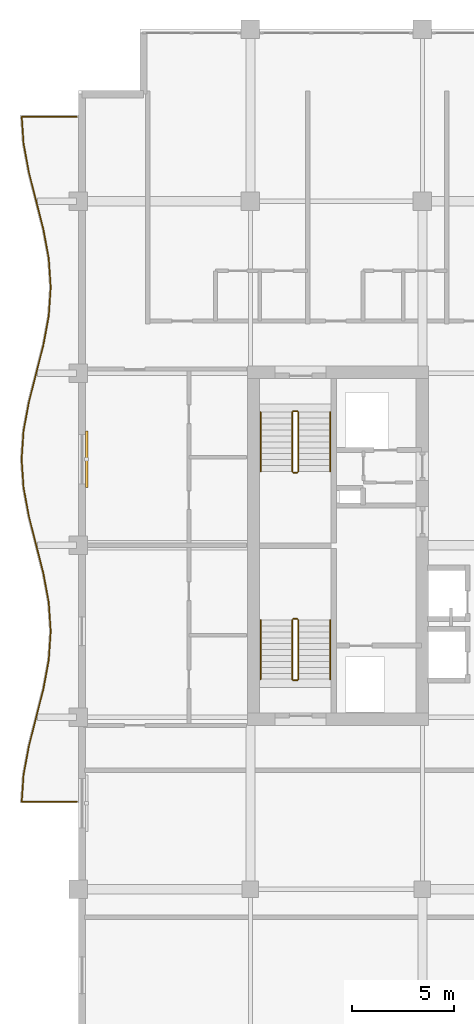
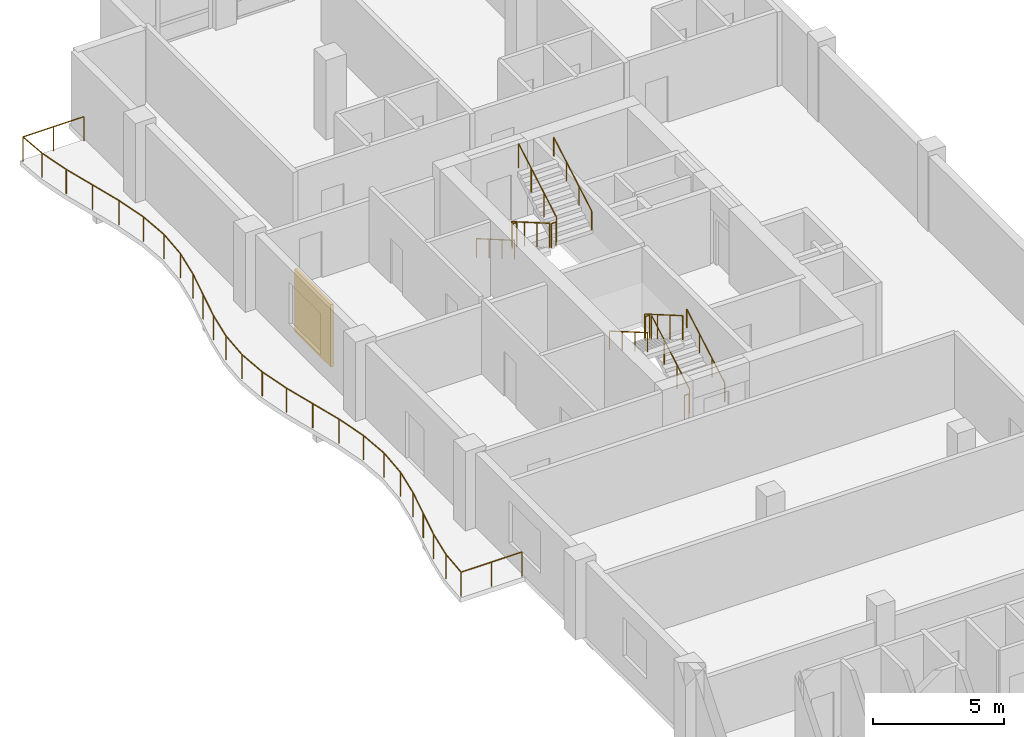
# One storey, part 15 of 15: 13 railings, 1 shading device.
"""IFC4 building model written with IfcOpenShell, lengths in metres."""

from ifc_helpers import new_model, si_unit, direction, frame, origin, origin_2d, place, context, subcontext, project, spatial, rectangle, circle, extrude, material, layer, layer_set, type_object, element, save


model = new_model("IFC4")

# Units and contexts
model_context = context("Model", 3, precision=1e-05, world=origin(), true_north=direction((0.0, 1.0)))
body_context = subcontext(model_context, "Body", "Model", "MODEL_VIEW")
ifc_project = project(units=[si_unit("LENGTHUNIT", "METRE"), si_unit("AREAUNIT", "SQUARE_METRE"), si_unit("VOLUMEUNIT", "CUBIC_METRE"), si_unit("PLANEANGLEUNIT", "RADIAN"), si_unit("MASSUNIT", "GRAM", prefix="KILO")], contexts=[model_context])

# Site, building, storey
site_placement = place(None, origin())
site = spatial("IfcSite", under=ifc_project, at=site_placement, CompositionType="ELEMENT")
building_placement = place(site_placement, origin())
building = spatial("IfcBuilding", under=site, at=building_placement, Name="Koriwani Terraces Tower", CompositionType="ELEMENT")
storey_placement = place(building_placement, frame((0.0, 0.0, 282.300048828125)))
storey = spatial("IfcBuildingStorey", under=building, at=storey_placement, Name="L70", CompositionType="ELEMENT", Elevation=282.300048828125)

# Railings
ifc_material_1 = material(Name="Steel ASTM A572 Grade 50", Category="steel")
railing_type_1 = type_object("IfcRailingType", Name="GUARD_BALUSTRADE_1150", PredefinedType="BALUSTRADE", material=ifc_material_1)
railing_1_placement = place(storey_placement, frame((8.320068359375, 37.8798828125, 0.0)))
element("IfcRailing", 1, at=railing_1_placement, inside=storey, type_object=railing_type_1, Name="L70 Balcony Perimeter Safety Balustrade (W)", PredefinedType="BALUSTRADE", context=body_context, shape_type="SweptSolid", body=[
    extrude(circle(Radius=0.02392578125, at=origin_2d()), frame((0.0, 0.0, 1.1259765625), z_axis=(-1.0, 0.0, 0.0), x_axis=(0.0, -1.0, 0.0)), (0.0, 0.0, 1.0), 2.6845703125),
    extrude(circle(Radius=0.02392578125, at=origin_2d()), frame((-2.6845703125, 0.0, 1.1259765625), z_axis=(0.06786405531, 0.997694577512, 0.0), x_axis=(-0.997694577512, 0.06786405531, 0.0)), (0.0, 0.0, 1.0), 1.31298828125),
    extrude(circle(Radius=0.02392578125, at=origin_2d()), frame((-2.595458984375, 1.31005859375, 1.1259765625), z_axis=(0.182508895706, 0.98320420208, 0.0), x_axis=(-0.98320420208, 0.182508895706, 0.0)), (0.0, 0.0, 1.0), 1.41650390625),
    extrude(circle(Radius=0.02392578125, at=origin_2d()), frame((-2.3369140625, 2.702880859375, 1.1259765625), z_axis=(0.245775750895, 0.969326714928, 0.0), x_axis=(-0.969326714928, 0.245775750895, 0.0)), (0.0, 0.0, 1.0), 2.888671875),
    extrude(circle(Radius=0.02392578125, at=origin_2d()), frame((-1.626953125, 5.5029296875, 1.1259765625), z_axis=(0.182351913416, 0.983233329212, 0.0), x_axis=(-0.983233329212, 0.182351913416, 0.0)), (0.0, 0.0, 1.0), 1.43115234375),
    extrude(circle(Radius=0.02392578125, at=origin_2d()), frame((-1.365966796875, 6.91015625, 1.1259765625), z_axis=(0.067722949425, 0.997704165633, 0.0), x_axis=(-0.997704165633, 0.067722949425, 0.0)), (0.0, 0.0, 1.0), 1.4130859375),
    extrude(circle(Radius=0.02392578125, at=origin_2d()), frame((-1.270263671875, 8.320068359375, 1.1259765625), z_axis=(-0.067711278299, 0.997704957786, 0.0), x_axis=(-0.997704957786, -0.067711278299, 0.0)), (0.0, 0.0, 1.0), 1.413330078125),
    extrude(circle(Radius=0.02392578125, at=origin_2d()), frame((-1.365966796875, 9.730224609375, 1.1259765625), z_axis=(-0.182382502828, 0.983227655562, 0.0), x_axis=(-0.983227655562, -0.182382502828, 0.0)), (0.0, 0.0, 1.0), 1.430908203125),
    extrude(circle(Radius=0.02392578125, at=origin_2d()), frame((-1.626953125, 11.13720703125, 1.1259765625), z_axis=(-0.245775750895, 0.969326714928, 0.0), x_axis=(-0.969326714928, -0.245775750895, 0.0)), (0.0, 0.0, 1.0), 2.888671875),
    extrude(circle(Radius=0.02392578125, at=origin_2d()), frame((-2.3369140625, 13.937255859375, 1.1259765625), z_axis=(-0.182508895706, 0.98320420208, 0.0), x_axis=(-0.98320420208, -0.182508895706, 0.0)), (0.0, 0.0, 1.0), 1.41650390625),
    extrude(circle(Radius=0.02392578125, at=origin_2d()), frame((-2.595458984375, 15.330078125, 1.1259765625), z_axis=(-0.067809839848, 0.997698263815, 0.0), x_axis=(-0.997698263815, -0.067809839848, 0.0)), (0.0, 0.0, 1.0), 1.393310546875),
    extrude(circle(Radius=0.02392578125, at=origin_2d()), frame((-2.68994140625, 16.72021484375, 1.1259765625), z_axis=(0.067821696155, 0.997697457915, 0.0), x_axis=(-0.997697457915, 0.067821696155, 0.0)), (0.0, 0.0, 1.0), 1.39306640625),
    extrude(circle(Radius=0.02392578125, at=origin_2d()), frame((-2.595458984375, 18.110107421875, 1.1259765625), z_axis=(0.182508895706, 0.98320420208, 0.0), x_axis=(-0.98320420208, 0.182508895706, 0.0)), (0.0, 0.0, 1.0), 1.41650390625),
    extrude(circle(Radius=0.02392578125, at=origin_2d()), frame((-2.3369140625, 19.5029296875, 1.1259765625), z_axis=(0.245775750895, 0.969326714928, 0.0), x_axis=(-0.969326714928, 0.245775750895, 0.0)), (0.0, 0.0, 1.0), 2.888671875),
    extrude(circle(Radius=0.02392578125, at=origin_2d()), frame((-1.626953125, 22.302978515625, 1.1259765625), z_axis=(0.182351913416, 0.983233329212, 0.0), x_axis=(-0.983233329212, 0.182351913416, 0.0)), (0.0, 0.0, 1.0), 1.43115234375),
    extrude(circle(Radius=0.02392578125, at=origin_2d()), frame((-1.365966796875, 23.710205078125, 1.1259765625), z_axis=(0.067722949425, 0.997704165633, 0.0), x_axis=(-0.997704165633, 0.067722949425, 0.0)), (0.0, 0.0, 1.0), 1.4130859375),
    extrude(circle(Radius=0.02392578125, at=origin_2d()), frame((-1.270263671875, 25.1201171875, 1.1259765625), z_axis=(-0.067722949425, 0.997704165633, 0.0), x_axis=(-0.997704165633, -0.067722949425, 0.0)), (0.0, 0.0, 1.0), 1.4130859375),
    extrude(circle(Radius=0.02392578125, at=origin_2d()), frame((-1.365966796875, 26.530029296875, 1.1259765625), z_axis=(-0.182351913416, 0.983233329212, 0.0), x_axis=(-0.983233329212, -0.182351913416, 0.0)), (0.0, 0.0, 1.0), 1.43115234375),
    extrude(circle(Radius=0.02392578125, at=origin_2d()), frame((-1.626953125, 27.937255859375, 1.1259765625), z_axis=(-0.245775750895, 0.969326714928, 0.0), x_axis=(-0.969326714928, -0.245775750895, 0.0)), (0.0, 0.0, 1.0), 2.888671875),
    extrude(circle(Radius=0.02392578125, at=origin_2d()), frame((-2.3369140625, 30.7373046875, 1.1259765625), z_axis=(-0.182508895706, 0.98320420208, 0.0), x_axis=(-0.98320420208, -0.182508895706, 0.0)), (0.0, 0.0, 1.0), 1.41650390625),
    extrude(circle(Radius=0.02392578125, at=origin_2d()), frame((-2.595458984375, 32.130126953125, 1.1259765625), z_axis=(-0.06786405531, 0.997694577512, 0.0), x_axis=(-0.997694577512, -0.06786405531, 0.0)), (0.0, 0.0, 1.0), 1.31298828125),
    extrude(circle(Radius=0.02392578125, at=origin_2d()), frame((-2.6845703125, 33.440185546875, 1.1259765625), z_axis=(1.0, 0.0, 0.0), x_axis=(0.0, 1.0, 0.0)), (0.0, 0.0, 1.0), 2.6845703125),
    extrude(circle(Radius=0.02099609375, at=origin_2d()), origin(), (0.0, 0.0, 1.0), 1.101806640625),
    extrude(circle(Radius=0.02099609375, at=origin_2d()), frame((-1.34228515625, 0.0, 0.0)), (0.0, 0.0, 1.0), 1.101806640625),
    extrude(circle(Radius=0.02099609375, at=origin_2d()), frame((-2.6845703125, 0.0, 0.0)), (0.0, 0.0, 1.0), 1.101806640625),
    extrude(circle(Radius=0.02099609375, at=origin_2d()), frame((-2.595458984375, 1.31005859375, 0.0)), (0.0, 0.0, 1.0), 1.101806640625),
    extrude(circle(Radius=0.02099609375, at=origin_2d()), frame((-2.3369140625, 2.702880859375, 0.0)), (0.0, 0.0, 1.0), 1.101806640625),
    extrude(circle(Radius=0.02099609375, at=origin_2d()), frame((-1.98193359375, 4.10302734375, 0.0)), (0.0, 0.0, 1.0), 1.101806640625),
    extrude(circle(Radius=0.02099609375, at=origin_2d()), frame((-1.626953125, 5.5029296875, 0.0)), (0.0, 0.0, 1.0), 1.101806640625),
    extrude(circle(Radius=0.02099609375, at=origin_2d()), frame((-1.365966796875, 6.91015625, 0.0)), (0.0, 0.0, 1.0), 1.101806640625),
    extrude(circle(Radius=0.02099609375, at=origin_2d()), frame((-1.270263671875, 8.320068359375, 0.0)), (0.0, 0.0, 1.0), 1.101806640625),
    extrude(circle(Radius=0.02099609375, at=origin_2d()), frame((-1.365966796875, 9.730224609375, 0.0)), (0.0, 0.0, 1.0), 1.101806640625),
    extrude(circle(Radius=0.02099609375, at=origin_2d()), frame((-1.626953125, 11.13720703125, 0.0)), (0.0, 0.0, 1.0), 1.101806640625),
    extrude(circle(Radius=0.02099609375, at=origin_2d()), frame((-1.98193359375, 12.537109375, 0.0)), (0.0, 0.0, 1.0), 1.101806640625),
    extrude(circle(Radius=0.02099609375, at=origin_2d()), frame((-2.3369140625, 13.937255859375, 0.0)), (0.0, 0.0, 1.0), 1.101806640625),
    extrude(circle(Radius=0.02099609375, at=origin_2d()), frame((-2.595458984375, 15.330078125, 0.0)), (0.0, 0.0, 1.0), 1.101806640625),
    extrude(circle(Radius=0.02099609375, at=origin_2d()), frame((-2.68994140625, 16.72021484375, 0.0)), (0.0, 0.0, 1.0), 1.101806640625),
    extrude(circle(Radius=0.02099609375, at=origin_2d()), frame((-2.595458984375, 18.110107421875, 0.0)), (0.0, 0.0, 1.0), 1.101806640625),
    extrude(circle(Radius=0.02099609375, at=origin_2d()), frame((-2.3369140625, 19.5029296875, 0.0)), (0.0, 0.0, 1.0), 1.101806640625),
    extrude(circle(Radius=0.02099609375, at=origin_2d()), frame((-1.98193359375, 20.90283203125, 0.0)), (0.0, 0.0, 1.0), 1.101806640625),
    extrude(circle(Radius=0.02099609375, at=origin_2d()), frame((-1.626953125, 22.302978515625, 0.0)), (0.0, 0.0, 1.0), 1.101806640625),
    extrude(circle(Radius=0.02099609375, at=origin_2d()), frame((-1.365966796875, 23.710205078125, 0.0)), (0.0, 0.0, 1.0), 1.101806640625),
    extrude(circle(Radius=0.02099609375, at=origin_2d()), frame((-1.270263671875, 25.1201171875, 0.0)), (0.0, 0.0, 1.0), 1.101806640625),
    extrude(circle(Radius=0.02099609375, at=origin_2d()), frame((-1.365966796875, 26.530029296875, 0.0)), (0.0, 0.0, 1.0), 1.101806640625),
    extrude(circle(Radius=0.02099609375, at=origin_2d()), frame((-1.626953125, 27.937255859375, 0.0)), (0.0, 0.0, 1.0), 1.101806640625),
    extrude(circle(Radius=0.02099609375, at=origin_2d()), frame((-1.98193359375, 29.33740234375, 0.0)), (0.0, 0.0, 1.0), 1.101806640625),
    extrude(circle(Radius=0.02099609375, at=origin_2d()), frame((-2.3369140625, 30.7373046875, 0.0)), (0.0, 0.0, 1.0), 1.101806640625),
    extrude(circle(Radius=0.02099609375, at=origin_2d()), frame((-2.595458984375, 32.130126953125, 0.0)), (0.0, 0.0, 1.0), 1.101806640625),
    extrude(circle(Radius=0.02099609375, at=origin_2d()), frame((-2.6845703125, 33.440185546875, 0.0)), (0.0, 0.0, 1.0), 1.101806640625),
    extrude(circle(Radius=0.02099609375, at=origin_2d()), frame((-1.34228515625, 33.440185546875, 0.0)), (0.0, 0.0, 1.0), 1.101806640625),
    extrude(circle(Radius=0.02099609375, at=origin_2d()), frame((0.0, 33.440185546875, 0.0)), (0.0, 0.0, 1.0), 1.101806640625),
])
railing_type_2 = type_object("IfcRailingType", Name="GUARD_STAIR_WELL_1120", PredefinedType="GUARDRAIL", material=ifc_material_1)
railing_2_placement = place(storey_placement, frame((19.14990234375, 43.85009765625, 0.168212890625)))
element("IfcRailing", 2, at=railing_2_placement, inside=storey, type_object=railing_type_2, Name="L70 ST-W1 stair guard 1", PredefinedType="GUARDRAIL", context=body_context, shape_type="SweptSolid", body=[
    extrude(circle(Radius=0.02392578125, at=origin_2d()), frame((0.0, 0.0, 1.1259765625), z_axis=(0.0, 0.86507038078, 0.501650512107), x_axis=(-1.0, 0.0, 0.0)), (0.0, 0.0, 1.0), 3.352294921875),
    extrude(circle(Radius=0.02099609375, at=origin_2d()), origin(), (0.0, 0.0, 1.0), 1.101806640625),
    extrude(circle(Radius=0.02099609375, at=origin_2d()), frame((0.0, 0.966552734375, 0.560546875)), (0.0, 0.0, 1.0), 1.101806640625),
    extrude(circle(Radius=0.02099609375, at=origin_2d()), frame((0.0, 1.933349609375, 1.12109375)), (0.0, 0.0, 1.0), 1.101806640625),
    extrude(circle(Radius=0.02099609375, at=origin_2d()), frame((0.0, 2.89990234375, 1.681640625)), (0.0, 0.0, 1.0), 1.101806640625),
])
railing_3_placement = place(storey_placement, frame((19.10009765625, 46.800048828125, 1.849853515625)))
element("IfcRailing", 3, at=railing_3_placement, inside=storey, type_object=railing_type_2, Name="L70 ST-W1 stair guard 2", PredefinedType="GUARDRAIL", context=body_context, shape_type="SweptSolid", body=[
    extrude(circle(Radius=0.02392578125, at=origin_2d()), frame((0.0, 0.0, 1.1259765625), z_axis=(-1.0, 0.0, 0.0), x_axis=(0.0, -1.0, 0.0)), (0.0, 0.0, 1.0), 0.2001953125),
    extrude(circle(Radius=0.02099609375, at=origin_2d()), origin(), (0.0, 0.0, 1.0), 1.101806640625),
    extrude(circle(Radius=0.02099609375, at=origin_2d()), frame((-0.2001953125, 0.0, 0.0)), (0.0, 0.0, 1.0), 1.101806640625),
])
railing_4_placement = place(storey_placement, frame((18.85009765625, 46.75, 2.01806640625)))
element("IfcRailing", 4, at=railing_4_placement, inside=storey, type_object=railing_type_2, Name="L70 ST-W1 stair guard 3", PredefinedType="GUARDRAIL", context=body_context, shape_type="SweptSolid", body=[
    extrude(circle(Radius=0.02392578125, at=origin_2d()), frame((0.0, 0.0, 1.1259765625), z_axis=(0.0, -0.865038774852, 0.501705010941), x_axis=(1.0, 0.0, 0.0)), (0.0, 0.0, 1.0), 3.352294921875),
    extrude(circle(Radius=0.02099609375, at=origin_2d()), origin(), (0.0, 0.0, 1.0), 1.101806640625),
    extrude(circle(Radius=0.02099609375, at=origin_2d()), frame((0.0, -0.966552734375, 0.560546875)), (0.0, 0.0, 1.0), 1.101806640625),
    extrude(circle(Radius=0.02099609375, at=origin_2d()), frame((0.0, -1.933349609375, 1.121337890625)), (0.0, 0.0, 1.0), 1.101806640625),
    extrude(circle(Radius=0.02099609375, at=origin_2d()), frame((0.0, -2.89990234375, 1.681884765625)), (0.0, 0.0, 1.0), 1.101806640625),
])
railing_5_placement = place(storey_placement, frame((19.10009765625, 43.800048828125, 0.0)))
element("IfcRailing", 5, at=railing_5_placement, inside=storey, type_object=railing_type_2, Name="L70 ST-W1 stair guard 4", PredefinedType="GUARDRAIL", context=body_context, shape_type="SweptSolid", body=[
    extrude(circle(Radius=0.02392578125, at=origin_2d()), frame((0.0, 0.0, 1.1259765625), z_axis=(-1.0, 0.0, 0.0), x_axis=(0.0, -1.0, 0.0)), (0.0, 0.0, 1.0), 0.2001953125),
    extrude(circle(Radius=0.02099609375, at=origin_2d()), origin(), (0.0, 0.0, 1.0), 1.101806640625),
    extrude(circle(Radius=0.02099609375, at=origin_2d()), frame((-0.2001953125, 0.0, 0.0)), (0.0, 0.0, 1.0), 1.101806640625),
])
railing_6_placement = place(storey_placement, frame((18.85009765625, 56.89990234375, 0.168212890625)))
element("IfcRailing", 6, at=railing_6_placement, inside=storey, type_object=railing_type_2, Name="L70 ST-W2 stair guard 1", PredefinedType="GUARDRAIL", context=body_context, shape_type="SweptSolid", body=[
    extrude(circle(Radius=0.02392578125, at=origin_2d()), frame((0.0, 0.0, 1.1259765625), z_axis=(0.0, -0.86507038078, 0.501650512107), x_axis=(1.0, 0.0, 0.0)), (0.0, 0.0, 1.0), 3.352294921875),
    extrude(circle(Radius=0.02099609375, at=origin_2d()), origin(), (0.0, 0.0, 1.0), 1.101806640625),
    extrude(circle(Radius=0.02099609375, at=origin_2d()), frame((0.0, -0.966552734375, 0.560546875)), (0.0, 0.0, 1.0), 1.101806640625),
    extrude(circle(Radius=0.02099609375, at=origin_2d()), frame((0.0, -1.933349609375, 1.12109375)), (0.0, 0.0, 1.0), 1.101806640625),
    extrude(circle(Radius=0.02099609375, at=origin_2d()), frame((0.0, -2.89990234375, 1.681640625)), (0.0, 0.0, 1.0), 1.101806640625),
])
railing_7_placement = place(storey_placement, frame((18.89990234375, 53.949951171875, 1.849853515625)))
element("IfcRailing", 7, at=railing_7_placement, inside=storey, type_object=railing_type_2, Name="L70 ST-W2 stair guard 2", PredefinedType="GUARDRAIL", context=body_context, shape_type="SweptSolid", body=[
    extrude(circle(Radius=0.02392578125, at=origin_2d()), frame((0.0, 0.0, 1.1259765625), z_axis=(1.0, 0.0, 0.0), x_axis=(0.0, 1.0, 0.0)), (0.0, 0.0, 1.0), 0.2001953125),
    extrude(circle(Radius=0.02099609375, at=origin_2d()), origin(), (0.0, 0.0, 1.0), 1.101806640625),
    extrude(circle(Radius=0.02099609375, at=origin_2d()), frame((0.2001953125, 0.0, 0.0)), (0.0, 0.0, 1.0), 1.101806640625),
])
railing_8_placement = place(storey_placement, frame((19.14990234375, 54.0, 2.01806640625)))
element("IfcRailing", 8, at=railing_8_placement, inside=storey, type_object=railing_type_2, Name="L70 ST-W2 stair guard 3", PredefinedType="GUARDRAIL", context=body_context, shape_type="SweptSolid", body=[
    extrude(circle(Radius=0.02392578125, at=origin_2d()), frame((0.0, 0.0, 1.1259765625), z_axis=(0.0, 0.865038774852, 0.501705010941), x_axis=(-1.0, 0.0, 0.0)), (0.0, 0.0, 1.0), 3.352294921875),
    extrude(circle(Radius=0.02099609375, at=origin_2d()), origin(), (0.0, 0.0, 1.0), 1.101806640625),
    extrude(circle(Radius=0.02099609375, at=origin_2d()), frame((0.0, 0.966552734375, 0.560546875)), (0.0, 0.0, 1.0), 1.101806640625),
    extrude(circle(Radius=0.02099609375, at=origin_2d()), frame((0.0, 1.933349609375, 1.121337890625)), (0.0, 0.0, 1.0), 1.101806640625),
    extrude(circle(Radius=0.02099609375, at=origin_2d()), frame((0.0, 2.89990234375, 1.681884765625)), (0.0, 0.0, 1.0), 1.101806640625),
])
railing_9_placement = place(storey_placement, frame((18.89990234375, 56.949951171875, 0.0)))
element("IfcRailing", 9, at=railing_9_placement, inside=storey, type_object=railing_type_2, Name="L70 ST-W2 stair guard 4", PredefinedType="GUARDRAIL", context=body_context, shape_type="SweptSolid", body=[
    extrude(circle(Radius=0.02392578125, at=origin_2d()), frame((0.0, 0.0, 1.1259765625), z_axis=(1.0, 0.0, 0.0), x_axis=(0.0, 1.0, 0.0)), (0.0, 0.0, 1.0), 0.2001953125),
    extrude(circle(Radius=0.02099609375, at=origin_2d()), origin(), (0.0, 0.0, 1.0), 1.101806640625),
    extrude(circle(Radius=0.02099609375, at=origin_2d()), frame((0.2001953125, 0.0, 0.0)), (0.0, 0.0, 1.0), 1.101806640625),
])
railing_type_3 = type_object("IfcRailingType", Name="HANDRAIL_STAIR_920", PredefinedType="HANDRAIL", material=ifc_material_1)
railing_10_placement = place(storey_placement, frame((20.699951171875, 43.85009765625, 0.168212890625)))
element("IfcRailing", 10, at=railing_10_placement, inside=storey, type_object=railing_type_3, Name="L70 ST-W1 stair handrail 1", PredefinedType="HANDRAIL", context=body_context, shape_type="SweptSolid", body=[
    extrude(circle(Radius=0.02392578125, at=origin_2d()), frame((0.0, 0.0, 0.8759765625), z_axis=(0.0, 0.86507038078, 0.501650512107), x_axis=(-1.0, 0.0, 0.0)), (0.0, 0.0, 1.0), 3.352294921875),
    extrude(circle(Radius=0.02099609375, at=origin_2d()), origin(), (0.0, 0.0, 1.0), 0.851806640625),
    extrude(circle(Radius=0.02099609375, at=origin_2d()), frame((0.0, 0.966552734375, 0.560546875)), (0.0, 0.0, 1.0), 0.851806640625),
    extrude(circle(Radius=0.02099609375, at=origin_2d()), frame((0.0, 1.933349609375, 1.12109375)), (0.0, 0.0, 1.0), 0.851806640625),
    extrude(circle(Radius=0.02099609375, at=origin_2d()), frame((0.0, 2.89990234375, 1.681640625)), (0.0, 0.0, 1.0), 0.851806640625),
])
railing_11_placement = place(storey_placement, frame((17.300048828125, 46.75, 2.01806640625)))
element("IfcRailing", 11, at=railing_11_placement, inside=storey, type_object=railing_type_3, Name="L70 ST-W1 stair handrail 2", PredefinedType="HANDRAIL", context=body_context, shape_type="SweptSolid", body=[
    extrude(circle(Radius=0.02392578125, at=origin_2d()), frame((0.0, 0.0, 0.8759765625), z_axis=(0.0, -0.865038774852, 0.501705010941), x_axis=(1.0, 0.0, 0.0)), (0.0, 0.0, 1.0), 3.352294921875),
    extrude(circle(Radius=0.02099609375, at=origin_2d()), origin(), (0.0, 0.0, 1.0), 0.851806640625),
    extrude(circle(Radius=0.02099609375, at=origin_2d()), frame((0.0, -0.966552734375, 0.560546875)), (0.0, 0.0, 1.0), 0.851806640625),
    extrude(circle(Radius=0.02099609375, at=origin_2d()), frame((0.0, -1.933349609375, 1.121337890625)), (0.0, 0.0, 1.0), 0.851806640625),
    extrude(circle(Radius=0.02099609375, at=origin_2d()), frame((0.0, -2.89990234375, 1.681884765625)), (0.0, 0.0, 1.0), 0.851806640625),
])
railing_12_placement = place(storey_placement, frame((17.300048828125, 56.89990234375, 0.168212890625)))
element("IfcRailing", 12, at=railing_12_placement, inside=storey, type_object=railing_type_3, Name="L70 ST-W2 stair handrail 1", PredefinedType="HANDRAIL", context=body_context, shape_type="SweptSolid", body=[
    extrude(circle(Radius=0.02392578125, at=origin_2d()), frame((0.0, 0.0, 0.8759765625), z_axis=(0.0, -0.86507038078, 0.501650512107), x_axis=(1.0, 0.0, 0.0)), (0.0, 0.0, 1.0), 3.352294921875),
    extrude(circle(Radius=0.02099609375, at=origin_2d()), origin(), (0.0, 0.0, 1.0), 0.851806640625),
    extrude(circle(Radius=0.02099609375, at=origin_2d()), frame((0.0, -0.966552734375, 0.560546875)), (0.0, 0.0, 1.0), 0.851806640625),
    extrude(circle(Radius=0.02099609375, at=origin_2d()), frame((0.0, -1.933349609375, 1.12109375)), (0.0, 0.0, 1.0), 0.851806640625),
    extrude(circle(Radius=0.02099609375, at=origin_2d()), frame((0.0, -2.89990234375, 1.681640625)), (0.0, 0.0, 1.0), 0.851806640625),
])
railing_13_placement = place(storey_placement, frame((20.699951171875, 54.0, 2.01806640625)))
element("IfcRailing", 13, at=railing_13_placement, inside=storey, type_object=railing_type_3, Name="L70 ST-W2 stair handrail 2", PredefinedType="HANDRAIL", context=body_context, shape_type="SweptSolid", body=[
    extrude(circle(Radius=0.02392578125, at=origin_2d()), frame((0.0, 0.0, 0.8759765625), z_axis=(0.0, 0.865038774852, 0.501705010941), x_axis=(-1.0, 0.0, 0.0)), (0.0, 0.0, 1.0), 3.352294921875),
    extrude(circle(Radius=0.02099609375, at=origin_2d()), origin(), (0.0, 0.0, 1.0), 0.851806640625),
    extrude(circle(Radius=0.02099609375, at=origin_2d()), frame((0.0, 0.966552734375, 0.560546875)), (0.0, 0.0, 1.0), 0.851806640625),
    extrude(circle(Radius=0.02099609375, at=origin_2d()), frame((0.0, 1.933349609375, 1.121337890625)), (0.0, 0.0, 1.0), 0.851806640625),
    extrude(circle(Radius=0.02099609375, at=origin_2d()), frame((0.0, 2.89990234375, 1.681884765625)), (0.0, 0.0, 1.0), 0.851806640625),
])

# Shading device
ifc_material_2 = material(Name="Extruded Terracotta Clay", Category="masonry")
ifc_layer = layer(ifc_material_2, 0.1201171875, Name="Extruded Terracotta Clay")
ifc_layer_set = layer_set([ifc_layer], Name="Extruded Terracotta Clay")
shading_device_type = type_object("IfcShadingDeviceType", Name="TERRACOTTA_BAGUETTE_SCREEN_2800", PredefinedType="USERDEFINED", material=ifc_layer_set)
shading_device_placement = place(storey_placement, frame((8.804931640625, 54.60009765625, 0.284912109375), z_axis=(0.0, 0.0, 1.0), x_axis=(0.0, 1.0, 0.0)))
element("IfcShadingDevice", 14, at=shading_device_placement, inside=storey, type_object=shading_device_type, Name="L70 Extruded Terracotta Baguette Screen (W-15)", ObjectType="BAGUETTE", PredefinedType="USERDEFINED", context=body_context, shape_type="SweptSolid", body=[
    extrude(rectangle(XDim=2.760009765625, YDim=0.1201171875, at=origin_2d()), origin(), (0.0, 0.0, 1.0), 2.89990234375),
])

save(model, "model.ifc")
